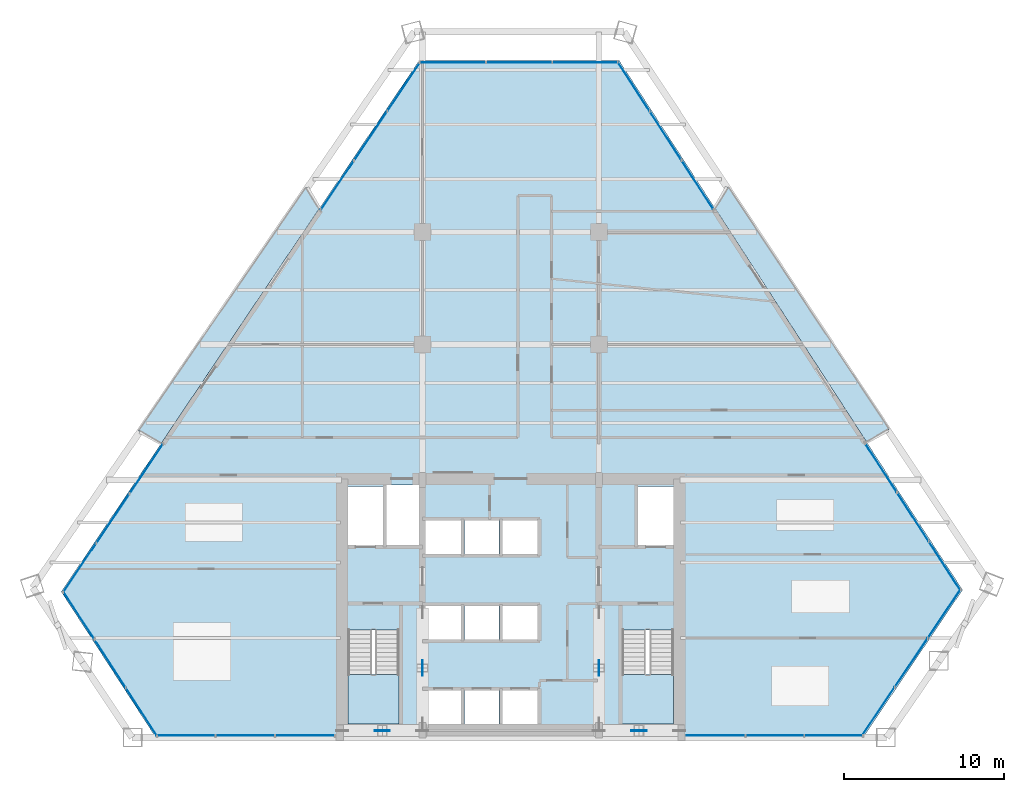
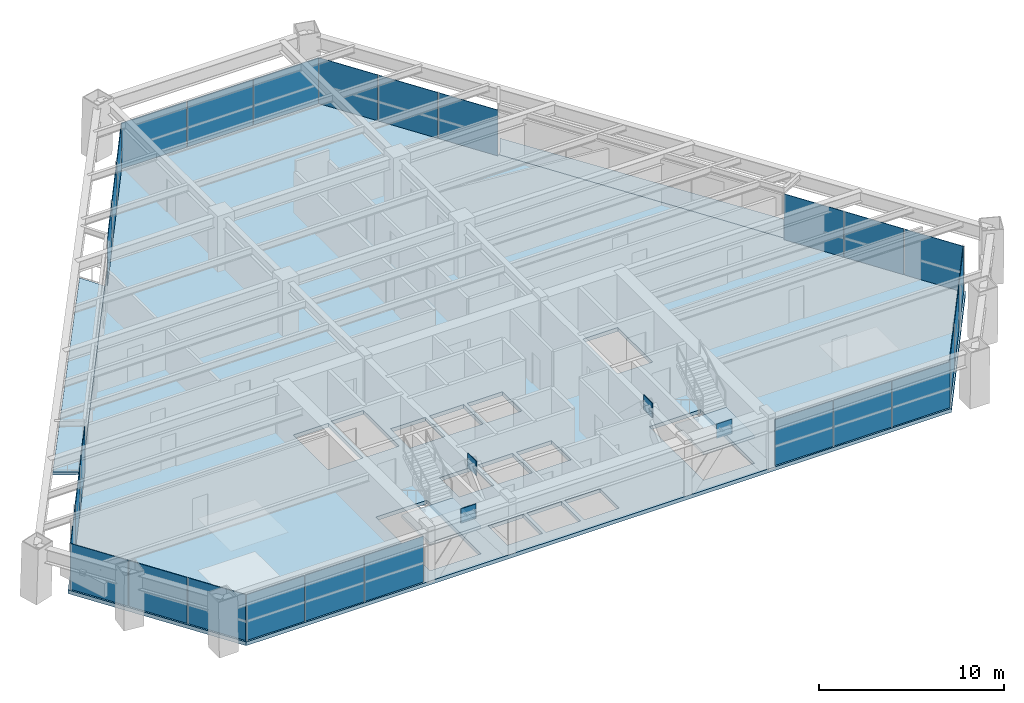
# One storey, part 9 of 14: 31 plates, 5 slabs, 11 elements without a shape of their own.
"""IFC4 building model written with IfcOpenShell, lengths in metres."""

from ifc_helpers import new_model, si_unit, direction, frame, origin, origin_2d, place, context, subcontext, project, spatial, polyline, rectangle, outline, extrude, source, transform, mapped, material, layer, layer_set, type_object, element, aggregate, save


model = new_model("IFC4")

# Units and contexts
model_context = context("Model", 3, precision=1e-05, world=origin(), true_north=direction((0.0, 1.0)))
body_context = subcontext(model_context, "Body", "Model", "MODEL_VIEW")
ifc_project = project(units=[si_unit("LENGTHUNIT", "METRE"), si_unit("AREAUNIT", "SQUARE_METRE"), si_unit("VOLUMEUNIT", "CUBIC_METRE"), si_unit("PLANEANGLEUNIT", "RADIAN"), si_unit("MASSUNIT", "GRAM", prefix="KILO")], contexts=[model_context])

# Site, building, storey
site_placement = place(None, origin())
site = spatial("IfcSite", under=ifc_project, at=site_placement, CompositionType="ELEMENT")
building_placement = place(site_placement, origin())
building = spatial("IfcBuilding", under=site, at=building_placement, Name="Varnakhor Terracotta Tower", CompositionType="ELEMENT")
storey_placement = place(building_placement, frame((0.0, 0.0, 91.39990234375)))
storey = spatial("IfcBuildingStorey", under=building, at=storey_placement, Name="L22", CompositionType="ELEMENT", Elevation=91.39990234375)

# Stair, slab
ifc_material_1 = material(Name="Concrete C40/50", Category="concrete")
stair_type = type_object("IfcStairType", Name="STR-CORE-OFFICE-1500", PredefinedType="HALF_TURN_STAIR", material=ifc_material_1)
stair_1_placement = place(storey_placement, origin())
stair_1 = element("IfcStair", 1, at=stair_1_placement, inside=storey, type_object=stair_type, Name="L22 Core Exit Stair ST-1", PredefinedType="HALF_TURN_STAIR")
ifc_layer_1 = layer(ifc_material_1, 0.179931640625, Name="Concrete C40/50")
ifc_layer_set_1 = layer_set([ifc_layer_1], Name="Concrete C40/50")
slab_type_1 = type_object("IfcSlabType", Name="SLB-LANDING-180", PredefinedType="LANDING", material=ifc_layer_set_1)
slab_1_placement = place(storey_placement, frame((0.0, 0.0, 1.650146484375)))
slab_1 = element("IfcSlab", 2, at=slab_1_placement, type_object=slab_type_1, Name="ST-1 landing 1", PredefinedType="LANDING", context=body_context, shape_type="SweptSolid", body=[
    extrude(outline(polyline([(-10.14990234375, 3.909912109375), (-10.14990234375, 0.85009765625), (-6.949951171875, 0.85009765625), (-6.949951171875, 3.909912109375), (-10.14990234375, 3.909912109375)])), origin(), (0.0, 0.0, 1.0), 0.199951171875),
])
aggregate(stair_1, [slab_1])

stair_2_placement = place(storey_placement, origin())
stair_2 = element("IfcStair", 3, at=stair_2_placement, inside=storey, type_object=stair_type, Name="L22 Core Exit Stair ST-2", PredefinedType="HALF_TURN_STAIR")
slab_2_placement = place(storey_placement, frame((0.0, 0.0, 1.650146484375)))
slab_2 = element("IfcSlab", 4, at=slab_2_placement, type_object=slab_type_1, Name="ST-2 landing 1", PredefinedType="LANDING", context=body_context, shape_type="SweptSolid", body=[
    extrude(outline(polyline([(6.949951171875, 3.909912109375), (6.949951171875, 0.85009765625), (10.14990234375, 0.85009765625), (10.14990234375, 3.909912109375), (6.949951171875, 3.909912109375)])), origin(), (0.0, 0.0, 1.0), 0.199951171875),
])
aggregate(stair_2, [slab_2])

# Slabs
ifc_layer_2 = layer(ifc_material_1, 0.195068359375, Name="Concrete C40/50")
ifc_layer_set_2 = layer_set([ifc_layer_2], Name="Concrete C40/50")
slab_type_2 = type_object("IfcSlabType", Name="SLB-LOGGIA-EXT-195", PredefinedType="FLOOR", material=ifc_layer_set_2)
slab_3_placement = place(storey_placement, frame((0.0, 0.0, -0.19482421875)))
element("IfcSlab", 5, at=slab_3_placement, inside=storey, type_object=slab_type_2, Name="L22 E Recessed Outdoor Loggia Slab", PredefinedType="FLOOR", context=body_context, shape_type="SweptSolid", body=[
    extrude(outline(polyline([(13.552978515625, 34.3330078125), (23.591552734375, 19.206298828125), (22.17724609375, 18.4384765625), (12.757568359375, 32.960693359375), (13.552978515625, 34.3330078125)])), origin(), (0.0, 0.0, 1.0), 0.19482421875),
])
slab_4_placement = place(storey_placement, frame((0.0, 0.0, -0.19482421875)))
element("IfcSlab", 6, at=slab_4_placement, inside=storey, type_object=slab_type_2, Name="L22 W Recessed Outdoor Loggia Slab", PredefinedType="FLOOR", context=body_context, shape_type="SweptSolid", body=[
    extrude(outline(polyline([(-23.18798828125, 19.12109375), (-12.750244140625, 34.300048828125), (-11.953125, 32.9287109375), (-16.376220703125, 26.363525390625), (-21.7705078125, 18.356689453125), (-23.18798828125, 19.12109375)])), origin(), (0.0, 0.0, 1.0), 0.19482421875),
])
ifc_layer_3 = layer(ifc_material_1, 0.25, Name="Concrete C40/50")
ifc_layer_set_3 = layer_set([ifc_layer_3], Name="Concrete C40/50")
slab_type_3 = type_object("IfcSlabType", Name="SLB-OFF-250", PredefinedType="FLOOR", material=ifc_layer_set_3)
slab_5_placement = place(storey_placement, frame((0.0, 0.0, -0.25)))
element("IfcSlab", 7, at=slab_5_placement, inside=storey, type_object=slab_type_3, Name="L22 Structural Floor Slab", PredefinedType="FLOOR", context=body_context, shape_type="SweptSolid", body=[
    extrude(outline(polyline([(-28.017578125, 9.08349609375), (-5.7060546875, 42.201904296875), (6.76318359375, 42.201904296875), (28.17138671875, 9.197021484375), (21.9755859375, 0.0), (-22.12548828125, 0.0), (-28.017578125, 9.08349609375)]), holes=[polyline([(-3.10009765625, 0.85009765625), (-3.10009765625, 2.949951171875), (-5.300048828125, 2.949951171875), (-5.300048828125, 0.85009765625), (-3.10009765625, 0.85009765625)]), polyline([(-2.8798828125, 0.85009765625), (-0.719970703125, 0.85009765625), (-0.719970703125, 2.949951171875), (-2.8798828125, 2.949951171875), (-2.8798828125, 0.85009765625)]), polyline([(-10.14990234375, 0.85009765625), (-6.949951171875, 0.85009765625), (-6.949951171875, 6.695068359375), (-10.14990234375, 6.695068359375), (-10.14990234375, 0.85009765625)]), polyline([(-5.300048828125, 6.10009765625), (-3.10009765625, 6.10009765625), (-3.10009765625, 8.199951171875), (-5.300048828125, 8.199951171875), (-5.300048828125, 6.10009765625)]), polyline([(-5.300048828125, 11.419921875), (-3.10009765625, 11.419921875), (-3.10009765625, 13.52001953125), (-5.300048828125, 13.52001953125), (-5.300048828125, 11.419921875)]), polyline([(-10.14990234375, 11.8798828125), (-7.949951171875, 11.8798828125), (-7.949951171875, 15.64990234375), (-10.14990234375, 15.64990234375), (-10.14990234375, 11.8798828125)]), polyline([(-7.72998046875, 11.8798828125), (-5.699951171875, 11.8798828125), (-5.699951171875, 15.75), (-7.72998046875, 15.75), (-7.72998046875, 11.8798828125)]), polyline([(1.699951171875, 0.85009765625), (1.699951171875, 2.949951171875), (-0.5, 2.949951171875), (-0.5, 0.85009765625), (1.699951171875, 0.85009765625)]), polyline([(6.949951171875, 0.85009765625), (10.14990234375, 0.85009765625), (10.14990234375, 6.695068359375), (6.949951171875, 6.695068359375), (6.949951171875, 0.85009765625)]), polyline([(-2.8798828125, 6.10009765625), (-0.719970703125, 6.10009765625), (-0.719970703125, 8.199951171875), (-2.8798828125, 8.199951171875), (-2.8798828125, 6.10009765625)]), polyline([(-0.5, 6.10009765625), (1.699951171875, 6.10009765625), (1.699951171875, 8.199951171875), (-0.5, 8.199951171875), (-0.5, 6.10009765625)]), polyline([(-2.8798828125, 11.419921875), (-0.719970703125, 11.419921875), (-0.719970703125, 13.52001953125), (-2.8798828125, 13.52001953125), (-2.8798828125, 11.419921875)]), polyline([(-0.5, 11.419921875), (1.699951171875, 11.419921875), (1.699951171875, 13.52001953125), (-0.5, 13.52001953125), (-0.5, 11.419921875)]), polyline([(7.949951171875, 11.8798828125), (10.14990234375, 11.8798828125), (10.14990234375, 15.64990234375), (7.949951171875, 15.64990234375), (7.949951171875, 11.8798828125)])]), origin(), (0.0, 0.0, 1.0), 0.25),
])

# Plates
ifc_material_2 = material(Name="Steel S460", Category="steel")
ifc_layer_4 = layer(ifc_material_2, 0.050048828125, Name="Steel S460")
ifc_layer_set_4 = layer_set([ifc_layer_4], Name="Steel S460")
plate_type_1 = type_object("IfcPlateType", Name="PLT-GUSSET-50", PredefinedType="USERDEFINED", material=ifc_layer_set_4)
shared_shape_1 = source(origin(), body_context, "Body", "SweptSolid", [
    extrude(rectangle(XDim=0.949951171875, YDim=0.044921875, at=origin_2d()), origin(), (0.0, 0.0, 1.0), 0.949951171875),
])
for number, where, z_axis, x_axis, name in (
    (8, (-8.0, 0.419921875, 2.8251953125), (0.0, 0.0, 1.0), (1.0, 0.0, 0.0), "L22 Core Brace Apex Gusset CSW"),
    (9, (8.0, 0.419921875, 2.8251953125), (0.0, 0.0, 1.0), (1.0, 0.0, 0.0), "L22 Core Brace Apex Gusset CSE"),
    (10, (-5.5, 4.324951171875, 2.8251953125), (0.0, 0.0, 1.0), (0.0, 1.0, 0.0), "L22 Core Brace Apex Gusset CWW"),
    (11, (5.5, 4.324951171875, 2.8251953125), (0.0, 0.0, 1.0), (0.0, 1.0, 0.0), "L22 Core Brace Apex Gusset CWE"),
):
    element("IfcPlate", number, at=place(storey_placement, frame(where, z_axis=z_axis, x_axis=x_axis)), inside=storey, type_object=plate_type_1, Name=name, ObjectType="GUSSET PLATE", PredefinedType="USERDEFINED", context=body_context, shape_type="MappedRepresentation", body=[
        mapped(shared_shape_1, transform((0.0, 0.0, 0.0), scale=1.0)),
    ])

# Curtain wall, plates
ifc_material_3 = material(Name="Anodised Aluminium Curtain Wall System", Category="aluminium")
curtain_wall_type = type_object("IfcCurtainWallType", Name="CW-SYS-LOW-OFFICE", PredefinedType="NOTDEFINED", material=ifc_material_3)
curtain_wall_1_placement = place(storey_placement, origin())
curtain_wall_1 = element("IfcCurtainWall", 12, at=curtain_wall_1_placement, inside=storey, type_object=curtain_wall_type, Name="L22 W Facet Curtain Wall 1", PredefinedType="NOTDEFINED")
ifc_material_4 = material(Name="Solar-Control Low-E Insulated Glass Panel", Category="glass")
ifc_layer_5 = layer(ifc_material_4, 0.0380859375, Name="Solar-Control Low-E Insulated Glass Panel")
ifc_layer_set_5 = layer_set([ifc_layer_5], Name="Solar-Control Low-E Insulated Glass Panel")
plate_type_2 = type_object("IfcPlateType", Name="CWP-02", PredefinedType="CURTAIN_PANEL", material=ifc_layer_set_5)
shared_shape_2 = source(origin(), body_context, "Body", "SweptSolid", [
    extrude(rectangle(XDim=3.6669921875, YDim=0.035888671875, at=origin_2d()), origin(), (0.0, 0.0, 1.0), 3.030029296875),
])
plate_1_placement = place(storey_placement, frame((-26.86572265625, 10.57861328125, 0.0), z_axis=(0.0, 0.0, 1.0), x_axis=(0.558729794352, 0.829349755473, 0.0)))
plate_1 = element("IfcPlate", 13, at=plate_1_placement, type_object=plate_type_2, Name="L22 W Facet Curtain Wall 1 Glazed Panel 1", PredefinedType="CURTAIN_PANEL", context=body_context, shape_type="MappedRepresentation", body=[
    mapped(shared_shape_2, transform((0.0, 0.0, 0.0), scale=1.0)),
])
plate_2_placement = place(storey_placement, frame((-24.79443359375, 13.6533203125, 0.0), z_axis=(0.0, 0.0, 1.0), x_axis=(0.558729794352, 0.829349755473, 0.0)))
plate_2 = element("IfcPlate", 14, at=plate_2_placement, type_object=plate_type_2, Name="L22 W Facet Curtain Wall 1 Glazed Panel 2", PredefinedType="CURTAIN_PANEL", context=body_context, shape_type="MappedRepresentation", body=[
    mapped(shared_shape_2, transform((0.0, 0.0, 0.0), scale=1.0)),
])
plate_3_placement = place(storey_placement, frame((-22.72314453125, 16.7275390625, 0.0), z_axis=(0.0, 0.0, 1.0), x_axis=(0.558729794352, 0.829349755473, 0.0)))
plate_3 = element("IfcPlate", 15, at=plate_3_placement, type_object=plate_type_2, Name="L22 W Facet Curtain Wall 1 Glazed Panel 3", PredefinedType="CURTAIN_PANEL", context=body_context, shape_type="MappedRepresentation", body=[
    mapped(shared_shape_2, transform((0.0, 0.0, 0.0), scale=1.0)),
])
aggregate(curtain_wall_1, [plate_1, plate_2, plate_3])

curtain_wall_2_placement = place(storey_placement, origin())
curtain_wall_2 = element("IfcCurtainWall", 16, at=curtain_wall_2_placement, inside=storey, type_object=curtain_wall_type, Name="L22 W Facet Curtain Wall 2", PredefinedType="NOTDEFINED")
plate_4_placement = place(storey_placement, frame((-10.80126953125, 34.423828125, 0.0), z_axis=(0.0, 0.0, 1.0), x_axis=(0.558729794352, 0.829349755473, 0.0)))
plate_4 = element("IfcPlate", 17, at=plate_4_placement, type_object=plate_type_2, Name="L22 W Facet Curtain Wall 2 Glazed Panel 1", PredefinedType="CURTAIN_PANEL", context=body_context, shape_type="MappedRepresentation", body=[
    mapped(shared_shape_2, transform((0.0, 0.0, 0.0), scale=1.0)),
])
plate_5_placement = place(storey_placement, frame((-8.72998046875, 37.498291015625, 0.0), z_axis=(0.0, 0.0, 1.0), x_axis=(0.558729794352, 0.829349755473, 0.0)))
plate_5 = element("IfcPlate", 18, at=plate_5_placement, type_object=plate_type_2, Name="L22 W Facet Curtain Wall 2 Glazed Panel 2", PredefinedType="CURTAIN_PANEL", context=body_context, shape_type="MappedRepresentation", body=[
    mapped(shared_shape_2, transform((0.0, 0.0, 0.0), scale=1.0)),
])
plate_6_placement = place(storey_placement, frame((-6.65869140625, 40.572998046875, 0.0), z_axis=(0.0, 0.0, 1.0), x_axis=(0.558729794352, 0.829349755473, 0.0)))
plate_6 = element("IfcPlate", 19, at=plate_6_placement, type_object=plate_type_2, Name="L22 W Facet Curtain Wall 2 Glazed Panel 3", PredefinedType="CURTAIN_PANEL", context=body_context, shape_type="MappedRepresentation", body=[
    mapped(shared_shape_2, transform((0.0, 0.0, 0.0), scale=1.0)),
])
aggregate(curtain_wall_2, [plate_4, plate_5, plate_6])

curtain_wall_3_placement = place(storey_placement, origin())
curtain_wall_3 = element("IfcCurtainWall", 20, at=curtain_wall_3_placement, inside=storey, type_object=curtain_wall_type, Name="L22 Facet Curtain Wall 2", PredefinedType="NOTDEFINED")
shared_shape_3 = source(origin(), body_context, "Body", "SweptSolid", [
    extrude(rectangle(XDim=4.096435546875, YDim=0.035888671875, at=origin_2d()), origin(), (0.0, 0.0, 1.0), 3.030029296875),
])
plate_7_placement = place(storey_placement, frame((-3.60791015625, 42.08203125, 0.0), z_axis=(0.0, 0.0, 1.0), x_axis=(1.0, 0.0, 0.0)))
plate_7 = element("IfcPlate", 21, at=plate_7_placement, type_object=plate_type_2, Name="L22 Facet Curtain Wall 2 Glazed Panel 1", PredefinedType="CURTAIN_PANEL", context=body_context, shape_type="MappedRepresentation", body=[
    mapped(shared_shape_3, transform((0.0, 0.0, 0.0), scale=1.0)),
])
plate_8_placement = place(storey_placement, frame((0.528564453125, 42.08203125, 0.0), z_axis=(0.0, 0.0, 1.0), x_axis=(1.0, 0.0, 0.0)))
plate_8 = element("IfcPlate", 22, at=plate_8_placement, type_object=plate_type_2, Name="L22 Facet Curtain Wall 2 Glazed Panel 2", PredefinedType="CURTAIN_PANEL", context=body_context, shape_type="MappedRepresentation", body=[
    mapped(shared_shape_3, transform((0.0, 0.0, 0.0), scale=1.0)),
])
plate_9_placement = place(storey_placement, frame((4.6650390625, 42.08203125, 0.0), z_axis=(0.0, 0.0, 1.0), x_axis=(1.0, 0.0, 0.0)))
plate_9 = element("IfcPlate", 23, at=plate_9_placement, type_object=plate_type_2, Name="L22 Facet Curtain Wall 2 Glazed Panel 3", PredefinedType="CURTAIN_PANEL", context=body_context, shape_type="MappedRepresentation", body=[
    mapped(shared_shape_3, transform((0.0, 0.0, 0.0), scale=1.0)),
])
aggregate(curtain_wall_3, [plate_7, plate_8, plate_9])

curtain_wall_4_placement = place(storey_placement, origin())
curtain_wall_4 = element("IfcCurtainWall", 24, at=curtain_wall_4_placement, inside=storey, type_object=curtain_wall_type, Name="L22 E Facet Curtain Wall 1", PredefinedType="NOTDEFINED")
shared_shape_4 = source(origin(), body_context, "Body", "SweptSolid", [
    extrude(rectangle(XDim=3.61181640625, YDim=0.035888671875, at=origin_2d()), origin(), (0.0, 0.0, 1.0), 3.030029296875),
])
plate_10_placement = place(storey_placement, frame((7.67236328125, 40.57958984375, 0.0), z_axis=(0.0, 0.0, 1.0), x_axis=(0.544185190874, -0.838965123252, 0.0)))
plate_10 = element("IfcPlate", 25, at=plate_10_placement, type_object=plate_type_2, Name="L22 E Facet Curtain Wall 1 Glazed Panel 1", PredefinedType="CURTAIN_PANEL", context=body_context, shape_type="MappedRepresentation", body=[
    mapped(shared_shape_4, transform((0.0, 0.0, 0.0), scale=1.0)),
])
plate_11_placement = place(storey_placement, frame((9.65966796875, 37.51611328125, 0.0), z_axis=(0.0, 0.0, 1.0), x_axis=(0.544185190874, -0.838965123252, 0.0)))
plate_11 = element("IfcPlate", 26, at=plate_11_placement, type_object=plate_type_2, Name="L22 E Facet Curtain Wall 1 Glazed Panel 2", PredefinedType="CURTAIN_PANEL", context=body_context, shape_type="MappedRepresentation", body=[
    mapped(shared_shape_4, transform((0.0, 0.0, 0.0), scale=1.0)),
])
plate_12_placement = place(storey_placement, frame((11.64697265625, 34.452392578125, 0.0), z_axis=(0.0, 0.0, 1.0), x_axis=(0.544185190874, -0.838965123252, 0.0)))
plate_12 = element("IfcPlate", 27, at=plate_12_placement, type_object=plate_type_2, Name="L22 E Facet Curtain Wall 1 Glazed Panel 3", PredefinedType="CURTAIN_PANEL", context=body_context, shape_type="MappedRepresentation", body=[
    mapped(shared_shape_4, transform((0.0, 0.0, 0.0), scale=1.0)),
])
aggregate(curtain_wall_4, [plate_10, plate_11, plate_12])

curtain_wall_5_placement = place(storey_placement, origin())
curtain_wall_5 = element("IfcCurtainWall", 28, at=curtain_wall_5_placement, inside=storey, type_object=curtain_wall_type, Name="L22 E Facet Curtain Wall 2", PredefinedType="NOTDEFINED")
plate_13_placement = place(storey_placement, frame((23.08642578125, 16.816162109375, 0.0), z_axis=(0.0, 0.0, 1.0), x_axis=(0.544185190874, -0.838965123252, 0.0)))
plate_13 = element("IfcPlate", 29, at=plate_13_placement, type_object=plate_type_2, Name="L22 E Facet Curtain Wall 2 Glazed Panel 1", PredefinedType="CURTAIN_PANEL", context=body_context, shape_type="MappedRepresentation", body=[
    mapped(shared_shape_4, transform((0.0, 0.0, 0.0), scale=1.0)),
])
plate_14_placement = place(storey_placement, frame((25.07373046875, 13.75244140625, 0.0), z_axis=(0.0, 0.0, 1.0), x_axis=(0.544185190874, -0.838965123252, 0.0)))
plate_14 = element("IfcPlate", 30, at=plate_14_placement, type_object=plate_type_2, Name="L22 E Facet Curtain Wall 2 Glazed Panel 2", PredefinedType="CURTAIN_PANEL", context=body_context, shape_type="MappedRepresentation", body=[
    mapped(shared_shape_4, transform((0.0, 0.0, 0.0), scale=1.0)),
])
plate_15_placement = place(storey_placement, frame((27.060791015625, 10.688720703125, 0.0), z_axis=(0.0, 0.0, 1.0), x_axis=(0.544185190874, -0.838965123252, 0.0)))
plate_15 = element("IfcPlate", 31, at=plate_15_placement, type_object=plate_type_2, Name="L22 E Facet Curtain Wall 2 Glazed Panel 3", PredefinedType="CURTAIN_PANEL", context=body_context, shape_type="MappedRepresentation", body=[
    mapped(shared_shape_4, transform((0.0, 0.0, 0.0), scale=1.0)),
])
aggregate(curtain_wall_5, [plate_13, plate_14, plate_15])

curtain_wall_6_placement = place(storey_placement, origin())
curtain_wall_6 = element("IfcCurtainWall", 32, at=curtain_wall_6_placement, inside=storey, type_object=curtain_wall_type, Name="L22 Facet Curtain Wall 4", PredefinedType="NOTDEFINED")
shared_shape_5 = source(origin(), body_context, "Body", "SweptSolid", [
    extrude(rectangle(XDim=3.636474609375, YDim=0.035888671875, at=origin_2d()), origin(), (0.0, 0.0, 1.0), 3.030029296875),
])
plate_16_placement = place(storey_placement, frame((27.0283203125, 7.71484375, 0.0), z_axis=(0.0, 0.0, 1.0), x_axis=(-0.558729794352, -0.829349755473, 0.0)))
plate_16 = element("IfcPlate", 33, at=plate_16_placement, type_object=plate_type_2, Name="L22 Facet Curtain Wall 4 Glazed Panel 1", PredefinedType="CURTAIN_PANEL", context=body_context, shape_type="MappedRepresentation", body=[
    mapped(shared_shape_5, transform((0.0, 0.0, 0.0), scale=1.0)),
])
plate_17_placement = place(storey_placement, frame((22.919921875, 1.616455078125, 0.0), z_axis=(0.0, 0.0, 1.0), x_axis=(-0.558729794352, -0.829349755473, 0.0)))
plate_17 = element("IfcPlate", 34, at=plate_17_placement, type_object=plate_type_2, Name="L22 Facet Curtain Wall 4 Glazed Panel 3", PredefinedType="CURTAIN_PANEL", context=body_context, shape_type="MappedRepresentation", body=[
    mapped(shared_shape_5, transform((0.0, 0.0, 0.0), scale=1.0)),
])
shared_shape_6 = source(origin(), body_context, "Body", "SweptSolid", [
    extrude(rectangle(XDim=3.63671875, YDim=0.035888671875, at=origin_2d()), origin(), (0.0, 0.0, 1.0), 3.030029296875),
])
plate_18_placement = place(storey_placement, frame((24.97412109375, 4.66552734375, 0.0), z_axis=(0.0, 0.0, 1.0), x_axis=(-0.558729794352, -0.829349755473, 0.0)))
plate_18 = element("IfcPlate", 35, at=plate_18_placement, type_object=plate_type_2, Name="L22 Facet Curtain Wall 4 Glazed Panel 2", PredefinedType="CURTAIN_PANEL", context=body_context, shape_type="MappedRepresentation", body=[
    mapped(shared_shape_6, transform((0.0, 0.0, 0.0), scale=1.0)),
])
aggregate(curtain_wall_6, [plate_16, plate_18, plate_17])

curtain_wall_7_placement = place(storey_placement, origin())
curtain_wall_7 = element("IfcCurtainWall", 36, at=curtain_wall_7_placement, inside=storey, type_object=curtain_wall_type, Name="L22 South Wing Curtain Wall SSE", PredefinedType="NOTDEFINED")
shared_shape_7 = source(origin(), body_context, "Body", "SweptSolid", [
    extrude(rectangle(XDim=3.625244140625, YDim=0.035888671875, at=origin_2d()), origin(), (0.0, 0.0, 1.0), 3.030029296875),
])
plate_19_placement = place(storey_placement, frame((20.1328125, 0.1201171875, 0.0), z_axis=(0.0, 0.0, 1.0), x_axis=(-1.0, 0.0, 0.0)))
plate_19 = element("IfcPlate", 37, at=plate_19_placement, type_object=plate_type_2, Name="L22 South Wing Curtain Wall SSE Glazed Panel 1", PredefinedType="CURTAIN_PANEL", context=body_context, shape_type="MappedRepresentation", body=[
    mapped(shared_shape_7, transform((0.0, 0.0, 0.0), scale=1.0)),
])
plate_20_placement = place(storey_placement, frame((12.802490234375, 0.1201171875, 0.0), z_axis=(0.0, 0.0, 1.0), x_axis=(-1.0, 0.0, 0.0)))
plate_20 = element("IfcPlate", 38, at=plate_20_placement, type_object=plate_type_2, Name="L22 South Wing Curtain Wall SSE Glazed Panel 3", PredefinedType="CURTAIN_PANEL", context=body_context, shape_type="MappedRepresentation", body=[
    mapped(shared_shape_7, transform((0.0, 0.0, 0.0), scale=1.0)),
])
shared_shape_8 = source(origin(), body_context, "Body", "SweptSolid", [
    extrude(rectangle(XDim=3.625, YDim=0.035888671875, at=origin_2d()), origin(), (0.0, 0.0, 1.0), 3.030029296875),
])
plate_21_placement = place(storey_placement, frame((16.4677734375, 0.1201171875, 0.0), z_axis=(0.0, 0.0, 1.0), x_axis=(-1.0, 0.0, 0.0)))
plate_21 = element("IfcPlate", 39, at=plate_21_placement, type_object=plate_type_2, Name="L22 South Wing Curtain Wall SSE Glazed Panel 2", PredefinedType="CURTAIN_PANEL", context=body_context, shape_type="MappedRepresentation", body=[
    mapped(shared_shape_8, transform((0.0, 0.0, 0.0), scale=1.0)),
])
aggregate(curtain_wall_7, [plate_19, plate_21, plate_20])

curtain_wall_8_placement = place(storey_placement, origin())
curtain_wall_8 = element("IfcCurtainWall", 40, at=curtain_wall_8_placement, inside=storey, type_object=curtain_wall_type, Name="L22 South Wing Curtain Wall SSW", PredefinedType="NOTDEFINED")
shared_shape_9 = source(origin(), body_context, "Body", "SweptSolid", [
    extrude(rectangle(XDim=3.67529296875, YDim=0.035888671875, at=origin_2d()), origin(), (0.0, 0.0, 1.0), 3.030029296875),
])
plate_22_placement = place(storey_placement, frame((-12.82763671875, 0.1201171875, 0.0), z_axis=(0.0, 0.0, 1.0), x_axis=(-1.0, 0.0, 0.0)))
plate_22 = element("IfcPlate", 41, at=plate_22_placement, type_object=plate_type_2, Name="L22 South Wing Curtain Wall SSW Glazed Panel 1", PredefinedType="CURTAIN_PANEL", context=body_context, shape_type="MappedRepresentation", body=[
    mapped(shared_shape_9, transform((0.0, 0.0, 0.0), scale=1.0)),
])
plate_23_placement = place(storey_placement, frame((-16.542724609375, 0.1201171875, 0.0), z_axis=(0.0, 0.0, 1.0), x_axis=(-1.0, 0.0, 0.0)))
plate_23 = element("IfcPlate", 42, at=plate_23_placement, type_object=plate_type_2, Name="L22 South Wing Curtain Wall SSW Glazed Panel 2", PredefinedType="CURTAIN_PANEL", context=body_context, shape_type="MappedRepresentation", body=[
    mapped(shared_shape_9, transform((0.0, 0.0, 0.0), scale=1.0)),
])
plate_24_placement = place(storey_placement, frame((-20.258056640625, 0.1201171875, 0.0), z_axis=(0.0, 0.0, 1.0), x_axis=(-1.0, 0.0, 0.0)))
plate_24 = element("IfcPlate", 43, at=plate_24_placement, type_object=plate_type_2, Name="L22 South Wing Curtain Wall SSW Glazed Panel 3", PredefinedType="CURTAIN_PANEL", context=body_context, shape_type="MappedRepresentation", body=[
    mapped(shared_shape_9, transform((0.0, 0.0, 0.0), scale=1.0)),
])
aggregate(curtain_wall_8, [plate_22, plate_23, plate_24])

curtain_wall_9_placement = place(storey_placement, origin())
curtain_wall_9 = element("IfcCurtainWall", 44, at=curtain_wall_9_placement, inside=storey, type_object=curtain_wall_type, Name="L22 Facet Curtain Wall 6", PredefinedType="NOTDEFINED")
shared_shape_10 = source(origin(), body_context, "Body", "SweptSolid", [
    extrude(rectangle(XDim=3.549072265625, YDim=0.035888671875, at=origin_2d()), origin(), (0.0, 0.0, 1.0), 3.030029296875),
])
plate_25_placement = place(storey_placement, frame((-23.017822265625, 1.595947265625, 0.0), z_axis=(0.0, 0.0, 1.0), x_axis=(-0.544185190874, 0.838965123252, 0.0)))
plate_25 = element("IfcPlate", 45, at=plate_25_placement, type_object=plate_type_2, Name="L22 Facet Curtain Wall 6 Glazed Panel 1", PredefinedType="CURTAIN_PANEL", context=body_context, shape_type="MappedRepresentation", body=[
    mapped(shared_shape_10, transform((0.0, 0.0, 0.0), scale=1.0)),
])
plate_26_placement = place(storey_placement, frame((-24.970947265625, 4.607177734375, 0.0), z_axis=(0.0, 0.0, 1.0), x_axis=(-0.544185190874, 0.838965123252, 0.0)))
plate_26 = element("IfcPlate", 46, at=plate_26_placement, type_object=plate_type_2, Name="L22 Facet Curtain Wall 6 Glazed Panel 2", PredefinedType="CURTAIN_PANEL", context=body_context, shape_type="MappedRepresentation", body=[
    mapped(shared_shape_10, transform((0.0, 0.0, 0.0), scale=1.0)),
])
plate_27_placement = place(storey_placement, frame((-26.924072265625, 7.6181640625, 0.0), z_axis=(0.0, 0.0, 1.0), x_axis=(-0.544185190874, 0.838965123252, 0.0)))
plate_27 = element("IfcPlate", 47, at=plate_27_placement, type_object=plate_type_2, Name="L22 Facet Curtain Wall 6 Glazed Panel 3", PredefinedType="CURTAIN_PANEL", context=body_context, shape_type="MappedRepresentation", body=[
    mapped(shared_shape_10, transform((0.0, 0.0, 0.0), scale=1.0)),
])
aggregate(curtain_wall_9, [plate_25, plate_26, plate_27])

save(model, "model.ifc")
